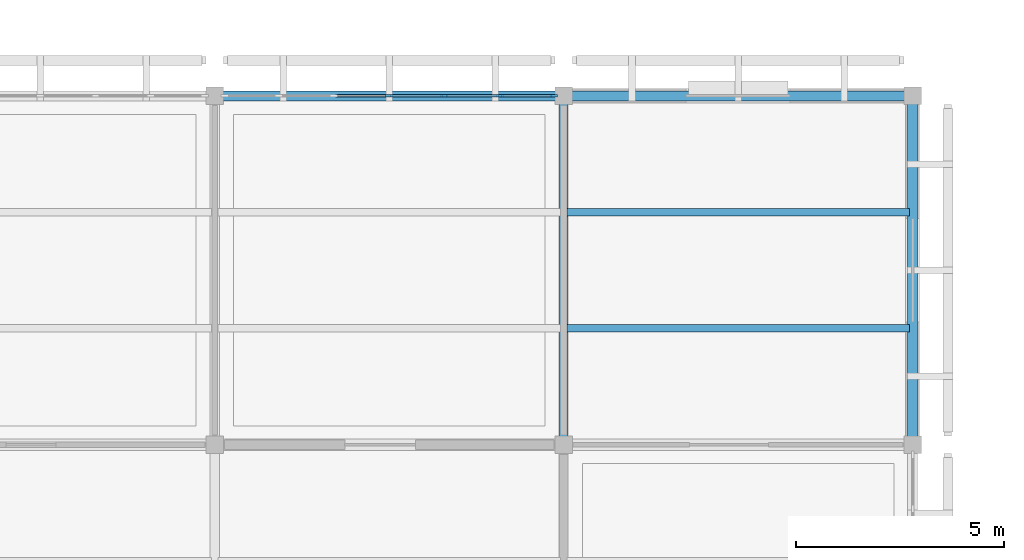
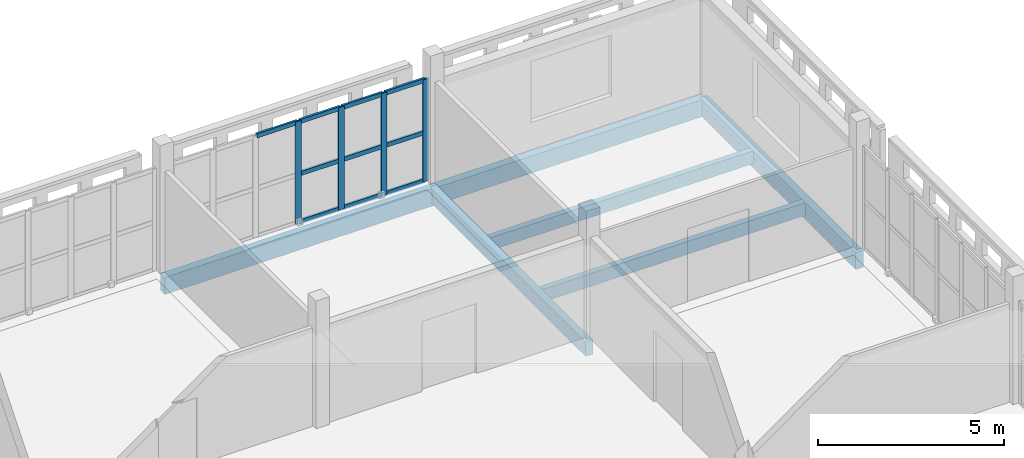
# One storey, part 75 of 166: 14 members, 6 beams, 1 element without a shape of its own.
"""IFC4 building model written with IfcOpenShell, lengths in metres."""

from ifc_helpers import new_model, si_unit, direction, frame, origin, origin_2d, place, context, subcontext, project, spatial, rectangle, extrude, material, layer, layer_set, material_profile, profile_set, type_object, element, aggregate, save


model = new_model("IFC4")

# Units and contexts
model_context = context("Model", 3, precision=1e-05, world=origin(), true_north=direction((0.0, 1.0)))
body_context = subcontext(model_context, "Body", "Model", "MODEL_VIEW")
ifc_project = project(units=[si_unit("LENGTHUNIT", "METRE"), si_unit("AREAUNIT", "SQUARE_METRE"), si_unit("VOLUMEUNIT", "CUBIC_METRE"), si_unit("PLANEANGLEUNIT", "RADIAN"), si_unit("MASSUNIT", "GRAM", prefix="KILO")], contexts=[model_context])

# Site, building, storey
site_placement = place(None, origin())
site = spatial("IfcSite", under=ifc_project, at=site_placement, CompositionType="ELEMENT")
building_placement = place(site_placement, origin())
building = spatial("IfcBuilding", under=site, at=building_placement, Name="Varnapada Polytechnic", CompositionType="ELEMENT")
storey_placement = place(building_placement, frame((0.0, 0.0, 9.60009765625)))
storey = spatial("IfcBuildingStorey", under=building, at=storey_placement, Name="L02", CompositionType="ELEMENT", Elevation=9.60009765625)

# Curtain wall, members
ifc_material_1 = material(Name="Double low-E laminated glass", Category="glass")
ifc_layer = layer(ifc_material_1, 0.179931640625)
ifc_layer_set = layer_set([ifc_layer], Name="Double low-E laminated glass")
curtain_wall_type = type_object("IfcCurtainWallType", Name="Curtain Wall CW-04", PredefinedType="NOTDEFINED", material=ifc_layer_set)
curtain_wall_placement = place(storey_placement, origin())
curtain_wall = element("IfcCurtainWall", 1, at=curtain_wall_placement, inside=storey, type_object=curtain_wall_type, Name="L02 unitised curtain wall CW-04 (200)", PredefinedType="NOTDEFINED")
ifc_material_2 = material(Name="Anodised aluminium", Category="aluminium")
ifc_material_profile_1 = material_profile(ifc_material_2, rectangle(XDim=0.06494140625, YDim=0.179931640625, at=origin_2d()), Name="ALU M65x180")
ifc_profile_set_1 = profile_set([ifc_material_profile_1], Name="Anodised aluminium")
member_type_1 = type_object("IfcMemberType", Name="Mullion M-02", PredefinedType="MULLION", material=ifc_profile_set_1)
member_1_placement = place(storey_placement, frame((163.800048828125, 117.60009765625, 0.0), z_axis=(0.0, 0.0, 1.0), x_axis=(0.0, 1.0, 0.0)))
member_1 = element("IfcMember", 2, at=member_1_placement, type_object=member_type_1, Name="CW-04 mullion 4", PredefinedType="MULLION", context=body_context, shape_type="SweptSolid", body=[
    extrude(rectangle(XDim=0.06494140625, YDim=0.179931640625, at=origin_2d()), origin(), (0.0, 0.0, 1.0), 3.35986328125),
])
member_2_placement = place(storey_placement, frame((165.1298828125, 117.60009765625, 0.0), z_axis=(0.0, 0.0, 1.0), x_axis=(0.0, 1.0, 0.0)))
member_2 = element("IfcMember", 3, at=member_2_placement, type_object=member_type_1, Name="CW-04 mullion 5", PredefinedType="MULLION", context=body_context, shape_type="SweptSolid", body=[
    extrude(rectangle(XDim=0.06494140625, YDim=0.179931640625, at=origin_2d()), origin(), (0.0, 0.0, 1.0), 3.35986328125),
])
member_3_placement = place(storey_placement, frame((166.4599609375, 117.60009765625, 0.0), z_axis=(0.0, 0.0, 1.0), x_axis=(0.0, 1.0, 0.0)))
member_3 = element("IfcMember", 4, at=member_3_placement, type_object=member_type_1, Name="CW-04 mullion 6", PredefinedType="MULLION", context=body_context, shape_type="SweptSolid", body=[
    extrude(rectangle(XDim=0.06494140625, YDim=0.179931640625, at=origin_2d()), origin(), (0.0, 0.0, 1.0), 3.35986328125),
])
member_4_placement = place(storey_placement, frame((167.757568359375, 117.60009765625, 0.0), z_axis=(0.0, 0.0, 1.0), x_axis=(0.0, 1.0, 0.0)))
member_4 = element("IfcMember", 5, at=member_4_placement, type_object=member_type_1, Name="CW-04 mullion 7", PredefinedType="MULLION", context=body_context, shape_type="SweptSolid", body=[
    extrude(rectangle(XDim=0.06494140625, YDim=0.179931640625, at=origin_2d()), origin(), (0.0, 0.0, 1.0), 3.35986328125),
])

# Beams
ifc_material_3 = material(Name="Glulam GL32h", Category="wood")
ifc_material_profile_2 = material_profile(ifc_material_3, rectangle(XDim=0.239990234375, YDim=0.56005859375, at=origin_2d()), Name="GL 240x560")
ifc_profile_set_2 = profile_set([ifc_material_profile_2], Name="Glulam GL32h")
beam_type_1 = type_object("IfcBeamType", Name="Perimeter glulam spandrel beam SP-02 (GL 240x560)", PredefinedType="SPANDREL", material=ifc_profile_set_2)
for number, where, z_axis, x_axis, name in (
    (6, (159.60009765625, 117.60009765625, -0.530029296875), (1.0, 0.0, 0.0), (0.0, 1.0, 0.0), "L02 beam X 20-21 at Y15"),
    (7, (168.0, 117.60009765625, -0.530029296875), (1.0, 0.0, 0.0), (0.0, 1.0, 0.0), "L02 beam X 21-22 at Y15"),
):
    element("IfcBeam", number, at=place(storey_placement, frame(where, z_axis=z_axis, x_axis=x_axis)), inside=storey, type_object=beam_type_1, Name=name, PredefinedType="SPANDREL", context=body_context, shape_type="SweptSolid", body=[
        extrude(rectangle(XDim=0.239990234375, YDim=0.56005859375, at=origin_2d()), origin(), (0.0, 0.0, 1.0), 8.39990234375),
    ])
beam_1_placement = place(storey_placement, frame((176.39990234375, 109.199951171875, -0.530029296875), z_axis=(0.0, 1.0, 0.0), x_axis=(-1.0, 0.0, 0.0)))
element("IfcBeam", 8, at=beam_1_placement, inside=storey, type_object=beam_type_1, Name="L02 beam Y 14-15 at X22", PredefinedType="SPANDREL", context=body_context, shape_type="SweptSolid", body=[
    extrude(rectangle(XDim=0.239990234375, YDim=0.56005859375, at=origin_2d()), origin(), (0.0, 0.0, 1.0), 8.400146484375),
])
ifc_material_profile_3 = material_profile(ifc_material_3, rectangle(XDim=0.179931640625, YDim=0.419921875, at=origin_2d()), Name="GL 180x420")
ifc_profile_set_3 = profile_set([ifc_material_profile_3], Name="Glulam GL32h")
beam_type_2 = type_object("IfcBeamType", Name="Reading hall glulam joist GJ-04 (GL 180x420)", PredefinedType="JOIST", material=ifc_profile_set_3)
for number, where, z_axis, x_axis, name in (
    (9, (168.080078125, 112.0, -0.460205078125), (1.0, 0.0, 0.0), (0.0, 1.0, 0.0), "L02 floor joist 21/14.1"),
    (10, (168.080078125, 114.800048828125, -0.460205078125), (1.0, 0.0, 0.0), (0.0, 1.0, 0.0), "L02 floor joist 21/14.2"),
):
    element("IfcBeam", number, at=place(storey_placement, frame(where, z_axis=z_axis, x_axis=x_axis)), inside=storey, type_object=beam_type_2, Name=name, PredefinedType="JOIST", context=body_context, shape_type="SweptSolid", body=[
        extrude(rectangle(XDim=0.179931640625, YDim=0.419921875, at=origin_2d()), origin(), (0.0, 0.0, 1.0), 8.239990234375),
    ])

# Member
ifc_material_profile_4 = material_profile(ifc_material_2, rectangle(XDim=0.06494140625, YDim=0.139892578125, at=origin_2d()), Name="ALU T65x140")
ifc_profile_set_4 = profile_set([ifc_material_profile_4], Name="Anodised aluminium")
member_type_2 = type_object("IfcMemberType", Name="Transom T-02", PredefinedType="USERDEFINED", material=ifc_profile_set_4)
member_5_placement = place(storey_placement, frame((162.50244140625, 117.60009765625, 3.327392578125), z_axis=(1.0, 0.0, 0.0), x_axis=(0.0, 1.0, 0.0)))
member_5 = element("IfcMember", 11, at=member_5_placement, type_object=member_type_2, Name="CW-04 transom 3.3", ObjectType="TRANSOM", PredefinedType="USERDEFINED", context=body_context, shape_type="SweptSolid", body=[
    extrude(rectangle(XDim=0.06494140625, YDim=0.139892578125, at=origin_2d()), origin(), (0.0, 0.0, 1.0), 1.26513671875),
])

member_6_placement = place(storey_placement, frame((163.83251953125, 117.60009765625, 0.032470703125), z_axis=(1.0, 0.0, 0.0), x_axis=(0.0, 1.0, 0.0)))
member_6 = element("IfcMember", 12, at=member_6_placement, type_object=member_type_2, Name="CW-04 transom 4.1", ObjectType="TRANSOM", PredefinedType="USERDEFINED", context=body_context, shape_type="SweptSolid", body=[
    extrude(rectangle(XDim=0.06494140625, YDim=0.139892578125, at=origin_2d()), origin(), (0.0, 0.0, 1.0), 1.264892578125),
])

member_7_placement = place(storey_placement, frame((163.83251953125, 117.60009765625, 1.61279296875), z_axis=(1.0, 0.0, 0.0), x_axis=(0.0, 1.0, 0.0)))
member_7 = element("IfcMember", 13, at=member_7_placement, type_object=member_type_2, Name="CW-04 transom 4.2", ObjectType="TRANSOM", PredefinedType="USERDEFINED", context=body_context, shape_type="SweptSolid", body=[
    extrude(rectangle(XDim=0.06494140625, YDim=0.139892578125, at=origin_2d()), origin(), (0.0, 0.0, 1.0), 1.264892578125),
])

member_8_placement = place(storey_placement, frame((163.83251953125, 117.60009765625, 3.327392578125), z_axis=(1.0, 0.0, 0.0), x_axis=(0.0, 1.0, 0.0)))
member_8 = element("IfcMember", 14, at=member_8_placement, type_object=member_type_2, Name="CW-04 transom 4.3", ObjectType="TRANSOM", PredefinedType="USERDEFINED", context=body_context, shape_type="SweptSolid", body=[
    extrude(rectangle(XDim=0.06494140625, YDim=0.139892578125, at=origin_2d()), origin(), (0.0, 0.0, 1.0), 1.264892578125),
])

member_9_placement = place(storey_placement, frame((165.16259765625, 117.60009765625, 0.032470703125), z_axis=(1.0, 0.0, 0.0), x_axis=(0.0, 1.0, 0.0)))
member_9 = element("IfcMember", 15, at=member_9_placement, type_object=member_type_2, Name="CW-04 transom 5.1", ObjectType="TRANSOM", PredefinedType="USERDEFINED", context=body_context, shape_type="SweptSolid", body=[
    extrude(rectangle(XDim=0.06494140625, YDim=0.139892578125, at=origin_2d()), origin(), (0.0, 0.0, 1.0), 1.264892578125),
])

member_10_placement = place(storey_placement, frame((165.16259765625, 117.60009765625, 1.61279296875), z_axis=(1.0, 0.0, 0.0), x_axis=(0.0, 1.0, 0.0)))
member_10 = element("IfcMember", 16, at=member_10_placement, type_object=member_type_2, Name="CW-04 transom 5.2", ObjectType="TRANSOM", PredefinedType="USERDEFINED", context=body_context, shape_type="SweptSolid", body=[
    extrude(rectangle(XDim=0.06494140625, YDim=0.139892578125, at=origin_2d()), origin(), (0.0, 0.0, 1.0), 1.264892578125),
])

member_11_placement = place(storey_placement, frame((165.16259765625, 117.60009765625, 3.327392578125), z_axis=(1.0, 0.0, 0.0), x_axis=(0.0, 1.0, 0.0)))
member_11 = element("IfcMember", 17, at=member_11_placement, type_object=member_type_2, Name="CW-04 transom 5.3", ObjectType="TRANSOM", PredefinedType="USERDEFINED", context=body_context, shape_type="SweptSolid", body=[
    extrude(rectangle(XDim=0.06494140625, YDim=0.139892578125, at=origin_2d()), origin(), (0.0, 0.0, 1.0), 1.264892578125),
])

member_12_placement = place(storey_placement, frame((166.492431640625, 117.60009765625, 0.032470703125), z_axis=(1.0, 0.0, 0.0), x_axis=(0.0, 1.0, 0.0)))
member_12 = element("IfcMember", 18, at=member_12_placement, type_object=member_type_2, Name="CW-04 transom 6.1", ObjectType="TRANSOM", PredefinedType="USERDEFINED", context=body_context, shape_type="SweptSolid", body=[
    extrude(rectangle(XDim=0.06494140625, YDim=0.139892578125, at=origin_2d()), origin(), (0.0, 0.0, 1.0), 1.232666015625),
])

member_13_placement = place(storey_placement, frame((166.492431640625, 117.60009765625, 1.61279296875), z_axis=(1.0, 0.0, 0.0), x_axis=(0.0, 1.0, 0.0)))
member_13 = element("IfcMember", 19, at=member_13_placement, type_object=member_type_2, Name="CW-04 transom 6.2", ObjectType="TRANSOM", PredefinedType="USERDEFINED", context=body_context, shape_type="SweptSolid", body=[
    extrude(rectangle(XDim=0.06494140625, YDim=0.139892578125, at=origin_2d()), origin(), (0.0, 0.0, 1.0), 1.232666015625),
])

member_14_placement = place(storey_placement, frame((166.492431640625, 117.60009765625, 3.327392578125), z_axis=(1.0, 0.0, 0.0), x_axis=(0.0, 1.0, 0.0)))
member_14 = element("IfcMember", 20, at=member_14_placement, type_object=member_type_2, Name="CW-04 transom 6.3", ObjectType="TRANSOM", PredefinedType="USERDEFINED", context=body_context, shape_type="SweptSolid", body=[
    extrude(rectangle(XDim=0.06494140625, YDim=0.139892578125, at=origin_2d()), origin(), (0.0, 0.0, 1.0), 1.232666015625),
])

aggregate(curtain_wall, [member_1, member_2, member_3, member_4, member_5, member_6, member_7, member_8, member_9, member_10, member_11, member_12, member_13, member_14])

# Beam
ifc_material_profile_5 = material_profile(ifc_material_3, rectangle(XDim=0.219970703125, YDim=0.47998046875, at=origin_2d()), Name="GL 220x480")
ifc_profile_set_5 = profile_set([ifc_material_profile_5], Name="Glulam GL32h")
beam_type_3 = type_object("IfcBeamType", Name="Upper floor glulam tie beam GB-11 (GL 220x480)", PredefinedType="BEAM", material=ifc_profile_set_5)
beam_2_placement = place(storey_placement, frame((168.0, 109.199951171875, -0.489990234375), z_axis=(0.0, 1.0, 0.0), x_axis=(-1.0, 0.0, 0.0)))
element("IfcBeam", 21, at=beam_2_placement, inside=storey, type_object=beam_type_3, Name="L02 beam Y 14-15 at X21", PredefinedType="BEAM", context=body_context, shape_type="SweptSolid", body=[
    extrude(rectangle(XDim=0.219970703125, YDim=0.47998046875, at=origin_2d()), origin(), (0.0, 0.0, 1.0), 8.400146484375),
])

save(model, "model.ifc")
